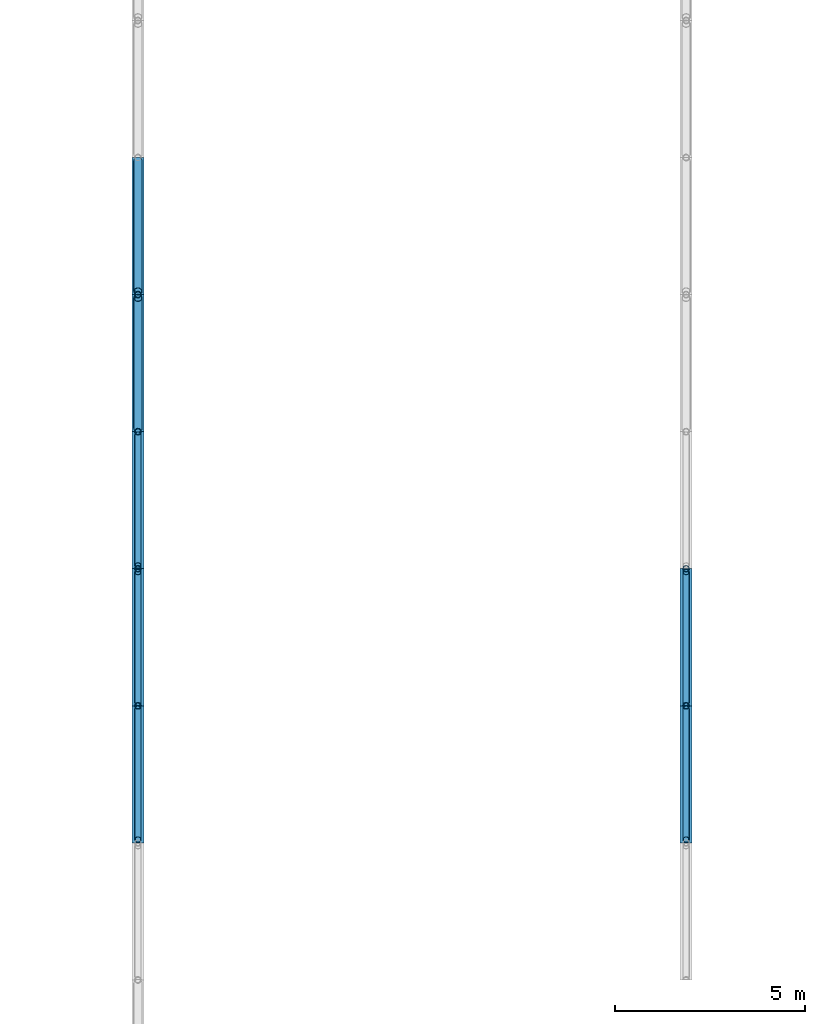
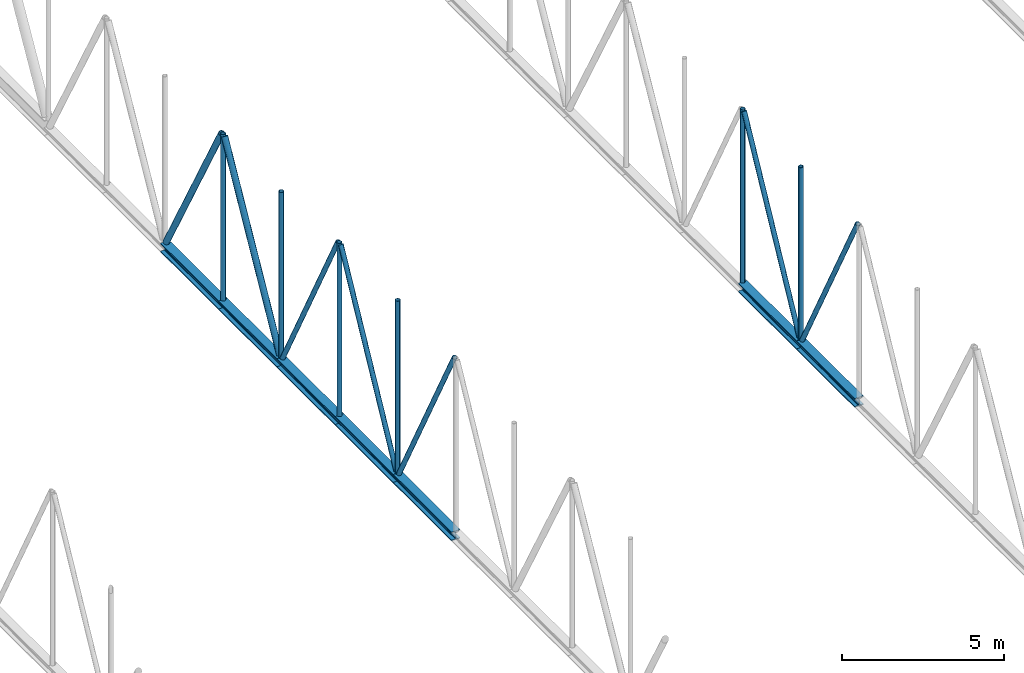
# One storey, part 60 of 142: 20 members.
"""IFC4 building model written with IfcOpenShell, lengths in metres."""

import ifcopenshell
import ifcopenshell.guid

model = None  # the IFC model being written
_history = None  # IfcOwnerHistory: only IFC2X3 demands one
_inside = {}  # id of a spatial element -> (the spatial element, [elements in it])
_under = {}  # id of a project, library or spatial element -> (it, [spatial elements below it])
_declared = {}  # id of a project -> (the project, [libraries it declares])
_typed = {}  # id of a type object -> (the type object, [elements of that type])
_made_of = {}  # id of a material, layer set ... -> (it, [elements and type objects made of it])


def new_model(schema):
    """Start an empty IFC model of exactly this schema.

    Asked for "IFC4X3", IfcOpenShell would pick the latest addendum, in which some entities
    have other attributes; the version numbers below select the first issue.
    IFC2X3 requires an IfcOwnerHistory on every rooted entity: one is made here for all.
    """
    global model, _history
    if schema == "IFC4X3":
        model = ifcopenshell.file(schema_version=(4, 3, 0, 0))
    else:
        model = ifcopenshell.file(schema=schema)
    _inside.clear()
    _under.clear()
    _declared.clear()
    _typed.clear()
    _made_of.clear()
    _history = None
    if model.schema == "IFC2X3":
        org = make("IfcOrganization", Name="unknown")
        user = make(
            "IfcPersonAndOrganization",
            ThePerson=make("IfcPerson", FamilyName="unknown"),
            TheOrganization=org,
        )
        app = make(
            "IfcApplication",
            ApplicationDeveloper=org,
            Version="unknown",
            ApplicationFullName="unknown",
            ApplicationIdentifier="unknown",
        )
        _history = make(
            "IfcOwnerHistory",
            OwningUser=user,
            OwningApplication=app,
            ChangeAction="ADDED",
            CreationDate=0,
        )
    return model


def make(cls, **values):
    """One entity of the class cls with the attributes given. An attribute that is None is left unset."""
    return model.create_entity(
        cls, **{name: value for name, value in values.items() if value is not None}
    )


def rooted(cls, **values):
    """An entity with a GlobalId (a new one), such as an element, a storey or a relation."""
    return make(cls, GlobalId=ifcopenshell.guid.new(), OwnerHistory=_history, **values)


def si_unit(unit_type, name, prefix=None):
    """IfcSIUnit, for example si_unit("LENGTHUNIT", "METRE", prefix="MILLI")."""
    return make("IfcSIUnit", UnitType=unit_type, Prefix=prefix, Name=name)


def assignment(units):
    """IfcUnitAssignment: the units of a project."""
    return None if units is None else make("IfcUnitAssignment", Units=units)


def point(xyz):
    """IfcCartesianPoint."""
    return None if xyz is None else make("IfcCartesianPoint", Coordinates=xyz)


def direction(xyz):
    """IfcDirection."""
    return None if xyz is None else make("IfcDirection", DirectionRatios=xyz)


def frame(location, z_axis=None, x_axis=None):
    """IfcAxis2Placement3D, a coordinate frame: its origin and axes. An axis left out is left unset."""
    return make(
        "IfcAxis2Placement3D",
        Location=point(location),
        Axis=direction(z_axis),
        RefDirection=direction(x_axis),
    )


def frame_2d(location, x_axis=None):
    """IfcAxis2Placement2D, a coordinate frame in the plane: its origin and x axis."""
    return make(
        "IfcAxis2Placement2D", Location=point(location), RefDirection=direction(x_axis)
    )


def origin():
    """The frame at (0, 0, 0) with its axes left unset."""
    return frame((0.0, 0.0, 0.0))


def origin_2d():
    """The frame at (0, 0) in the plane with its x axis left unset."""
    return frame_2d((0.0, 0.0))


def place(relative_to, where):
    """IfcLocalPlacement: puts the frame where relative to a parent placement (None: the world)."""
    return make(
        "IfcLocalPlacement", PlacementRelTo=relative_to, RelativePlacement=where
    )


def context(
    kind, dimensions, precision=None, world=None, true_north=None, identifier=None
):
    """IfcGeometricRepresentationContext, for example the 3D "Model" context."""
    return make(
        "IfcGeometricRepresentationContext",
        ContextIdentifier=identifier,
        ContextType=kind,
        CoordinateSpaceDimension=dimensions,
        Precision=precision,
        WorldCoordinateSystem=world,
        TrueNorth=true_north,
    )


def subcontext(parent, identifier, kind, view, scale=None):
    """IfcGeometricRepresentationSubContext, for example "Body" below "Model"."""
    return make(
        "IfcGeometricRepresentationSubContext",
        ContextIdentifier=identifier,
        ContextType=kind,
        ParentContext=parent,
        TargetScale=scale,
        TargetView=view,
    )


def project(units=None, contexts=None):
    """IfcProject with its units and contexts."""
    return rooted(
        "IfcProject",
        Name="project",
        RepresentationContexts=contexts,
        UnitsInContext=assignment(units),
    )


def spatial(cls, under=None, at=None, **own):
    """A site, building, storey or space (cls), placed at a placement, below another one or the project."""
    s = rooted(cls, ObjectPlacement=at, **own)
    if under is not None:
        _under.setdefault(under.id(), (under, []))[1].append(s)
    return s


def profile(cls, at=None, kind="AREA", **sizes):
    """A parametric profile (cls). Its sizes go by their IFC names, for example OverallWidth=200.0."""
    return make(cls, ProfileType=kind, Position=at, **sizes)


def hollow_circle(**sizes):
    """IfcCircleHollowProfileDef."""
    return profile("IfcCircleHollowProfileDef", **sizes)


def i_section(**sizes):
    """IfcIShapeProfileDef."""
    return profile("IfcIShapeProfileDef", **sizes)


def extrude(swept, where, along, depth):
    """IfcExtrudedAreaSolid: the profile swept, set in the frame where, extruded along a direction by depth."""
    return make(
        "IfcExtrudedAreaSolid",
        SweptArea=swept,
        Position=where,
        ExtrudedDirection=direction(along),
        Depth=depth,
    )


def shape(context_of_items, identifier, shape_type, items):
    """IfcShapeRepresentation: the items that make up one representation, for example the "Body"."""
    return make(
        "IfcShapeRepresentation",
        ContextOfItems=context_of_items,
        RepresentationIdentifier=identifier,
        RepresentationType=shape_type,
        Items=items,
    )


def material(Name=None, Category=None):
    """IfcMaterial."""
    return make("IfcMaterial", Name=Name, Category=Category)


def material_profile(
    of_material, cross_section, Name=None, Category=None, Priority=None
):
    """IfcMaterialProfile: a cross section and its material."""
    return make(
        "IfcMaterialProfile",
        Name=Name,
        Material=of_material,
        Profile=cross_section,
        Priority=Priority,
        Category=Category,
    )


def profile_set(profiles, Name=None, composite=None):
    """IfcMaterialProfileSet."""
    return make(
        "IfcMaterialProfileSet",
        Name=Name,
        MaterialProfiles=profiles,
        CompositeProfile=composite,
    )


def made_of(thing, what):
    """Note that an element or type object is made of a material, layer set ...; save() writes the relation."""
    if what is not None:
        _made_of.setdefault(what.id(), (what, []))[1].append(thing)
    return thing


def type_object(cls, material=None, **own):
    """A type object (cls), such as IfcWallType, which elements share."""
    return made_of(rooted(cls, **own), material)


def element(
    cls,
    number,
    at=None,
    inside=None,
    cuts=None,
    type_object=None,
    material=None,
    context=None,
    identifier="Body",
    shape_type=None,
    held_by="IfcProductDefinitionShape",
    body=None,
    shapes=None,
    **own,
):
    """One element of the class cls, such as IfcWall. Its Tag is "e" and its number.

    at: its placement. inside: the storey or other place that contains it. cuts: it is an
    opening in that element (IfcRelVoidsElement). A single representation is given by context,
    identifier, shape_type and body (its items); several are given by shapes. held_by: the class
    of the entity that holds the representations. save() writes the other relations.
    """
    e = rooted(cls, Tag="e%d" % number, ObjectPlacement=at, **own)
    if body is not None:
        shapes = [shape(context, identifier, shape_type, body)]
    if shapes is not None:
        e.Representation = make(held_by, Representations=shapes)
    if inside is not None:
        _inside.setdefault(inside.id(), (inside, []))[1].append(e)
    if cuts is not None:
        rooted(
            "IfcRelVoidsElement", RelatingBuildingElement=cuts, RelatedOpeningElement=e
        )
    if type_object is not None:
        _typed.setdefault(type_object.id(), (type_object, []))[1].append(e)
    return made_of(e, material)


def aggregate(whole, parts):
    """IfcRelAggregates: a whole, such as a stair, and the parts it consists of."""
    return rooted("IfcRelAggregates", RelatingObject=whole, RelatedObjects=parts)


def save(model, path):
    """Write the relations noted so far, then the file.

    IfcRelAggregates (storeys below a building ...), IfcRelContainedInSpatialStructure (elements
    in a storey), IfcRelDefinesByType, IfcRelAssociatesMaterial and IfcRelDeclares: one each for
    every whole, place, type object, material and project.
    """
    for whole, parts in _under.values():
        aggregate(whole, parts)
    for where, things in _inside.values():
        rooted(
            "IfcRelContainedInSpatialStructure",
            RelatedElements=things,
            RelatingStructure=where,
        )
    for kind, things in _typed.values():
        rooted("IfcRelDefinesByType", RelatedObjects=things, RelatingType=kind)
    for what, things in _made_of.values():
        rooted("IfcRelAssociatesMaterial", RelatedObjects=things, RelatingMaterial=what)
    for by, libraries in _declared.values():
        rooted("IfcRelDeclares", RelatingContext=by, RelatedDefinitions=libraries)
    model.write(path)


model = new_model("IFC4")

# Units and contexts
model_context = context("Model", 3, precision=1e-05, world=origin(), true_north=direction((0.0, 1.0)))
body_context = subcontext(model_context, "Body", "Model", "MODEL_VIEW")
ifc_project = project(units=[si_unit("LENGTHUNIT", "METRE"), si_unit("AREAUNIT", "SQUARE_METRE"), si_unit("VOLUMEUNIT", "CUBIC_METRE"), si_unit("PLANEANGLEUNIT", "RADIAN"), si_unit("MASSUNIT", "GRAM", prefix="KILO")], contexts=[model_context])

# Site, building, storey
site_placement = place(None, origin())
site = spatial("IfcSite", under=ifc_project, at=site_placement, CompositionType="ELEMENT")
building_placement = place(site_placement, origin())
building = spatial("IfcBuilding", under=site, at=building_placement, Name="Kupolbacken Congress Centre", CompositionType="ELEMENT")
storey_placement = place(building_placement, frame((0.0, 0.0, 14.39990234375)))
storey = spatial("IfcBuildingStorey", under=building, at=storey_placement, Name="L04", CompositionType="ELEMENT", Elevation=14.39990234375)

# Members
ifc_material_1 = material(Name="Steel S355", Category="steel")
ifc_material_profile_1 = material_profile(ifc_material_1, i_section(OverallWidth=0.31005859375, OverallDepth=0.340087890625, WebThickness=0.02099609375, FlangeThickness=0.0390625, FilletRadius=0.027099609375, at=origin_2d()), Name="HEM 300")
ifc_profile_set_1 = profile_set([ifc_material_profile_1], Name="Steel S355")
member_type_1 = type_object("IfcMemberType", Name="M01 transfer truss chord HEM 300", PredefinedType="CHORD", material=ifc_profile_set_1)
member_1_placement = place(storey_placement, frame((136.800048828125, 75.60009765625, 0.16015625), z_axis=(0.0, 1.0, 0.0), x_axis=(-1.0, 0.0, 0.0)))
element("IfcMember", 1, at=member_1_placement, inside=storey, type_object=member_type_1, Name="HT/T4/BC10", PredefinedType="CHORD", context=body_context, shape_type="SweptSolid", body=[
    extrude(i_section(OverallWidth=0.31005859375, OverallDepth=0.340087890625, WebThickness=0.02099609375, FlangeThickness=0.0390625, FilletRadius=0.027099609375, at=origin_2d()), origin(), (0.0, 0.0, 1.0), 3.599853515625),
])
member_2_placement = place(storey_placement, frame((136.800048828125, 79.199951171875, 0.16015625), z_axis=(0.0, 1.0, 0.0), x_axis=(-1.0, 0.0, 0.0)))
element("IfcMember", 2, at=member_2_placement, inside=storey, type_object=member_type_1, Name="HT/T4/BC11", PredefinedType="CHORD", context=body_context, shape_type="SweptSolid", body=[
    extrude(i_section(OverallWidth=0.31005859375, OverallDepth=0.340087890625, WebThickness=0.02099609375, FlangeThickness=0.0390625, FilletRadius=0.027099609375, at=origin_2d()), origin(), (0.0, 0.0, 1.0), 3.60009765625),
])
member_3_placement = place(storey_placement, frame((136.800048828125, 82.800048828125, 0.16015625), z_axis=(0.0, 1.0, 0.0), x_axis=(-1.0, 0.0, 0.0)))
element("IfcMember", 3, at=member_3_placement, inside=storey, type_object=member_type_1, Name="HT/T4/BC12", PredefinedType="CHORD", context=body_context, shape_type="SweptSolid", body=[
    extrude(i_section(OverallWidth=0.31005859375, OverallDepth=0.340087890625, WebThickness=0.02099609375, FlangeThickness=0.0390625, FilletRadius=0.027099609375, at=origin_2d()), origin(), (0.0, 0.0, 1.0), 3.599853515625),
])
for number, where, z_axis, x_axis, name in (
    (4, (136.800048828125, 86.39990234375, 0.16015625), (0.0, 1.0, 0.0), (-1.0, 0.0, 0.0), "HT/T4/BC13"),
    (5, (136.800048828125, 90.0, 0.16015625), (0.0, 1.0, 0.0), (-1.0, 0.0, 0.0), "HT/T4/BC14"),
):
    element("IfcMember", number, at=place(storey_placement, frame(where, z_axis=z_axis, x_axis=x_axis)), inside=storey, type_object=member_type_1, Name=name, PredefinedType="CHORD", context=body_context, shape_type="SweptSolid", body=[
        extrude(i_section(OverallWidth=0.31005859375, OverallDepth=0.340087890625, WebThickness=0.02099609375, FlangeThickness=0.0390625, FilletRadius=0.027099609375, at=origin_2d()), origin(), (0.0, 0.0, 1.0), 3.60009765625),
    ])
member_4_placement = place(storey_placement, frame((151.199951171875, 75.60009765625, 0.16015625), z_axis=(0.0, 1.0, 0.0), x_axis=(-1.0, 0.0, 0.0)))
element("IfcMember", 6, at=member_4_placement, inside=storey, type_object=member_type_1, Name="HT/T5/BC10", PredefinedType="CHORD", context=body_context, shape_type="SweptSolid", body=[
    extrude(i_section(OverallWidth=0.31005859375, OverallDepth=0.340087890625, WebThickness=0.02099609375, FlangeThickness=0.0390625, FilletRadius=0.027099609375, at=origin_2d()), origin(), (0.0, 0.0, 1.0), 3.599853515625),
])
member_5_placement = place(storey_placement, frame((151.199951171875, 79.199951171875, 0.16015625), z_axis=(0.0, 1.0, 0.0), x_axis=(-1.0, 0.0, 0.0)))
element("IfcMember", 7, at=member_5_placement, inside=storey, type_object=member_type_1, Name="HT/T5/BC11", PredefinedType="CHORD", context=body_context, shape_type="SweptSolid", body=[
    extrude(i_section(OverallWidth=0.31005859375, OverallDepth=0.340087890625, WebThickness=0.02099609375, FlangeThickness=0.0390625, FilletRadius=0.027099609375, at=origin_2d()), origin(), (0.0, 0.0, 1.0), 3.60009765625),
])
ifc_material_2 = material(Name="Steel S355", Category="steel")
ifc_material_profile_2 = material_profile(ifc_material_2, hollow_circle(Radius=0.109619140625, WallThickness=0.010009765625, at=origin_2d()), Name="CHS 219.1 x 10")
ifc_profile_set_2 = profile_set([ifc_material_profile_2], Name="Steel S355")
member_type_2 = type_object("IfcMemberType", Name="M05 transfer truss web CHS 219.1 x 10", PredefinedType="BRACE", material=ifc_profile_set_2)
for number, where, z_axis, x_axis, name in (
    (8, (136.800048828125, 86.484130859375, 0.372802734375), (0.0, 0.48517101949, 0.874419282637), (-1.0, 0.0, 0.0), "HT/T4/D13"),
    (9, (136.800048828125, 90.084228515625, 6.5576171875), (0.0, 0.48517101949, -0.874419282637), (-1.0, 0.0, 0.0), "HT/T4/D14"),
):
    element("IfcMember", number, at=place(storey_placement, frame(where, z_axis=z_axis, x_axis=x_axis)), inside=storey, type_object=member_type_2, Name=name, PredefinedType="BRACE", context=body_context, shape_type="SweptSolid", body=[
        extrude(hollow_circle(Radius=0.109619140625, WallThickness=0.010009765625, at=origin_2d()), origin(), (0.0, 0.0, 1.0), 7.072998046875),
    ])
ifc_material_3 = material(Name="Steel S355", Category="steel")
ifc_material_profile_3 = material_profile(ifc_material_3, hollow_circle(Radius=0.084228515625, WallThickness=0.008056640625, at=origin_2d()), Name="CHS 168.3 x 8")
ifc_profile_set_3 = profile_set([ifc_material_profile_3], Name="Steel S355")
member_type_3 = type_object("IfcMemberType", Name="M06 transfer truss web CHS 168.3 x 8", PredefinedType="BRACE", material=ifc_profile_set_3)
for number, where, z_axis, x_axis, name in (
    (10, (136.800048828125, 75.68408203125, 6.8310546875), (0.0, 0.468481741227, -0.88347317907), (-1.0, 0.0, 0.0), "HT/T4/D10"),
    (11, (136.800048828125, 79.2841796875, 0.359130859375), (0.0, 0.468455727838, 0.883486972771), (-1.0, 0.0, 0.0), "HT/T4/D11"),
    (12, (136.800048828125, 82.884033203125, 6.8310546875), (0.0, 0.468481741227, -0.88347317907), (-1.0, 0.0, 0.0), "HT/T4/D12"),
    (13, (151.199951171875, 75.68408203125, 6.8310546875), (0.0, 0.468481741227, -0.88347317907), (-1.0, 0.0, 0.0), "HT/T5/D10"),
    (14, (151.199951171875, 79.2841796875, 0.359130859375), (0.0, 0.468455727838, 0.883486972771), (-1.0, 0.0, 0.0), "HT/T5/D11"),
):
    element("IfcMember", number, at=place(storey_placement, frame(where, z_axis=z_axis, x_axis=x_axis)), inside=storey, type_object=member_type_3, Name=name, PredefinedType="BRACE", context=body_context, shape_type="SweptSolid", body=[
        extrude(hollow_circle(Radius=0.084228515625, WallThickness=0.008056640625, at=origin_2d()), origin(), (0.0, 0.0, 1.0), 7.325439453125),
    ])
ifc_material_4 = material(Name="Steel S355", Category="steel")
ifc_material_profile_4 = material_profile(ifc_material_4, hollow_circle(Radius=0.084228515625, WallThickness=0.008056640625, at=origin_2d()), Name="CHS 168.3 x 8")
ifc_profile_set_4 = profile_set([ifc_material_profile_4], Name="Steel S355")
member_type_4 = type_object("IfcMemberType", Name="M20 transfer truss post CHS 168.3 x 8", PredefinedType="STRUT", material=ifc_profile_set_4)
for number, where, z_axis, x_axis, name in (
    (15, (136.800048828125, 79.199951171875, 0.320068359375), (0.0, 0.0, 1.0), (0.0, 1.0, 0.0), "HT/T4/P10"),
    (16, (136.800048828125, 82.800048828125, 0.320068359375), (0.0, 0.0, 1.0), (0.0, 1.0, 0.0), "HT/T4/P11"),
):
    element("IfcMember", number, at=place(storey_placement, frame(where, z_axis=z_axis, x_axis=x_axis)), inside=storey, type_object=member_type_4, Name=name, PredefinedType="STRUT", context=body_context, shape_type="SweptSolid", body=[
        extrude(hollow_circle(Radius=0.084228515625, WallThickness=0.008056640625, at=origin_2d()), origin(), (0.0, 0.0, 1.0), 6.550048828125),
    ])
for number, where, z_axis, x_axis, name in (
    (17, (136.800048828125, 86.39990234375, 0.320068359375), (0.0, 0.0, 1.0), (0.0, 1.0, 0.0), "HT/T4/P12"),
    (18, (136.800048828125, 90.0, 0.320068359375), (0.0, 0.0, 1.0), (0.0, 1.0, 0.0), "HT/T4/P13"),
):
    element("IfcMember", number, at=place(storey_placement, frame(where, z_axis=z_axis, x_axis=x_axis)), inside=storey, type_object=member_type_4, Name=name, PredefinedType="STRUT", context=body_context, shape_type="SweptSolid", body=[
        extrude(hollow_circle(Radius=0.084228515625, WallThickness=0.008056640625, at=origin_2d()), origin(), (0.0, 0.0, 1.0), 6.2900390625),
    ])
for number, where, z_axis, x_axis, name in (
    (19, (151.199951171875, 79.199951171875, 0.320068359375), (0.0, 0.0, 1.0), (0.0, 1.0, 0.0), "HT/T5/P10"),
    (20, (151.199951171875, 82.800048828125, 0.320068359375), (0.0, 0.0, 1.0), (0.0, 1.0, 0.0), "HT/T5/P11"),
):
    element("IfcMember", number, at=place(storey_placement, frame(where, z_axis=z_axis, x_axis=x_axis)), inside=storey, type_object=member_type_4, Name=name, PredefinedType="STRUT", context=body_context, shape_type="SweptSolid", body=[
        extrude(hollow_circle(Radius=0.084228515625, WallThickness=0.008056640625, at=origin_2d()), origin(), (0.0, 0.0, 1.0), 6.550048828125),
    ])

save(model, "model.ifc")
